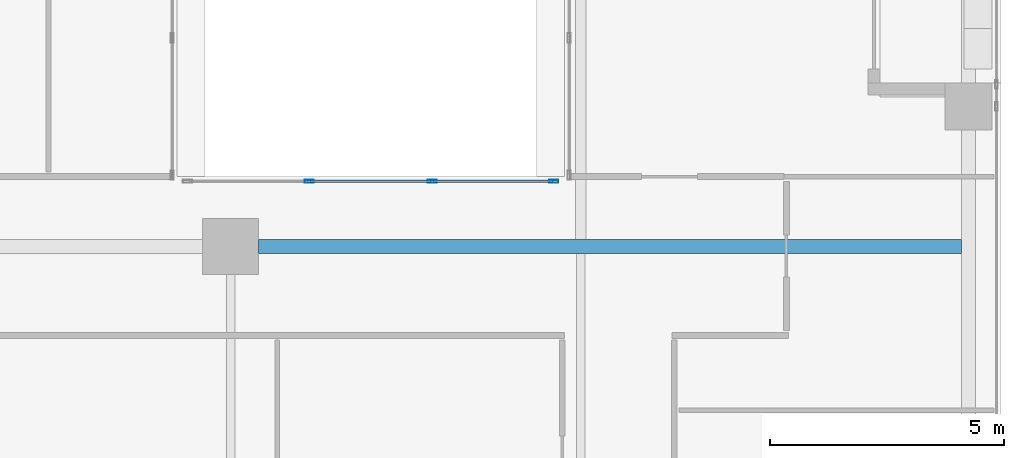
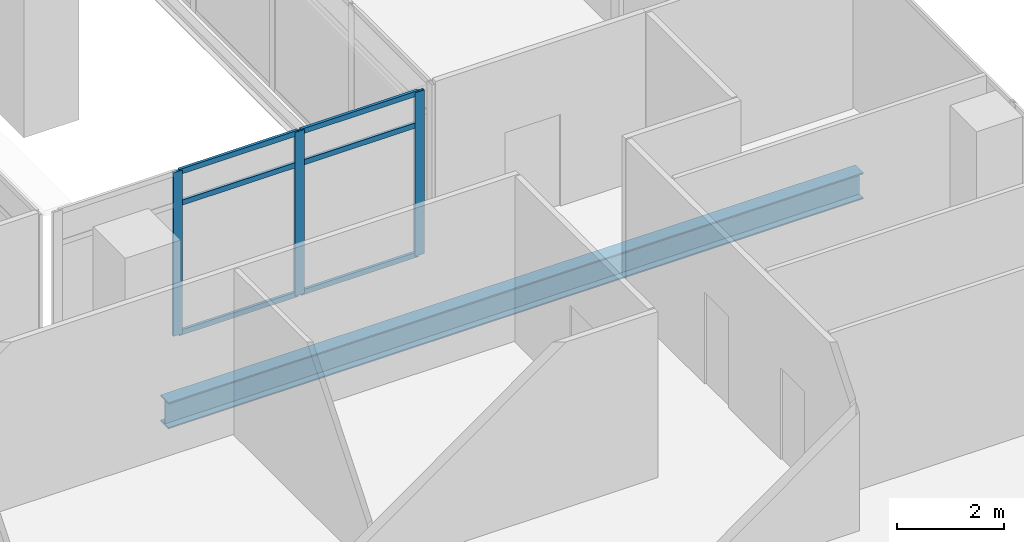
# One storey, part 16 of 40: 9 members, 1 beam, 1 element without a shape of its own.
"""IFC4 building model written with IfcOpenShell, lengths in metres."""

from ifc_helpers import new_model, si_unit, direction, frame, origin, origin_2d, place, context, subcontext, project, spatial, hollow_rectangle, i_section, extrude, source, transform, mapped, material, material_profile, profile_set, type_object, element, aggregate, save


model = new_model("IFC4")

# Units and contexts
model_context = context("Model", 3, precision=1e-05, world=origin(), true_north=direction((0.0, 1.0)))
body_context = subcontext(model_context, "Body", "Model", "MODEL_VIEW")
ifc_project = project(units=[si_unit("LENGTHUNIT", "METRE"), si_unit("AREAUNIT", "SQUARE_METRE"), si_unit("VOLUMEUNIT", "CUBIC_METRE"), si_unit("PLANEANGLEUNIT", "RADIAN"), si_unit("MASSUNIT", "GRAM", prefix="KILO")], contexts=[model_context])

# Site, building, storey
site_placement = place(None, origin())
site = spatial("IfcSite", under=ifc_project, at=site_placement, CompositionType="ELEMENT")
building_placement = place(site_placement, origin())
building = spatial("IfcBuilding", under=site, at=building_placement, Name="Khomas Fold Tower", CompositionType="ELEMENT")
storey_placement = place(building_placement, frame((0.0, 0.0, 180.699951171875)))
storey = spatial("IfcBuildingStorey", under=building, at=storey_placement, Name="L39", CompositionType="ELEMENT", Elevation=180.699951171875)

# Beam
ifc_material_1 = material(Name="Steel S355", Category="steel")
ifc_material_profile_1 = material_profile(ifc_material_1, i_section(OverallWidth=0.300048828125, OverallDepth=0.60009765625, WebThickness=0.015380859375, FlangeThickness=0.030029296875, at=origin_2d()), Name="HE 600 B")
ifc_profile_set_1 = profile_set([ifc_material_profile_1], Name="Steel S355")
beam_type = type_object("IfcBeamType", Name="HE 600 B beam GB5", PredefinedType="BEAM", material=ifc_profile_set_1)
shared_shape_1 = source(origin(), body_context, "Body", "SweptSolid", [
    extrude(i_section(OverallWidth=0.300048828125, OverallDepth=0.60009765625, WebThickness=0.015380859375, FlangeThickness=0.030029296875, at=origin_2d()), origin(), (0.0, 0.0, 1.0), 15.0498046875),
])
beam_placement = place(storey_placement, frame((35.10009765625, 31.5, -0.550048828125), z_axis=(1.0, 0.0, 0.0), x_axis=(0.0, 1.0, 0.0)))
element("IfcBeam", 1, at=beam_placement, inside=storey, type_object=beam_type, Name="GB5", PredefinedType="BEAM", context=body_context, shape_type="MappedRepresentation", body=[
    mapped(shared_shape_1, transform((0.0, 0.0, 0.0))),
])

# Curtain wall, members
ifc_material_2 = material(Name="Aluminium framed double glazing", Category="aluminium")
curtain_wall_type = type_object("IfcCurtainWallType", Name="Notch glazing GN-CW", PredefinedType="NOTDEFINED", material=ifc_material_2)
curtain_wall_placement = place(storey_placement, origin())
curtain_wall = element("IfcCurtainWall", 2, at=curtain_wall_placement, inside=storey, type_object=curtain_wall_type, Name="Notch glazing run", PredefinedType="NOTDEFINED")
ifc_material_3 = material(Name="Aluminium", Category="aluminium")
ifc_material_profile_2 = material_profile(ifc_material_3, hollow_rectangle(XDim=0.06005859375, YDim=0.199951171875, WallThickness=0.00390625, at=origin_2d()), Name="Notch glazing mullion GN-CW-M")
ifc_profile_set_2 = profile_set([ifc_material_profile_2], Name="Aluminium")
member_type_1 = type_object("IfcMemberType", Name="Notch glazing mullion GN-CW-M", PredefinedType="MULLION", material=ifc_profile_set_2)
shared_shape_2 = source(origin(), body_context, "Body", "SweptSolid", [
    extrude(hollow_rectangle(XDim=0.06005859375, YDim=0.199951171875, WallThickness=0.00390625, at=origin_2d()), origin(), (0.0, 0.0, 1.0), 3.75),
])
member_1_placement = place(storey_placement, frame((41.419921875, 32.89990234375, 0.0), z_axis=(0.0, 0.0, 1.0), x_axis=(0.0, -1.0, 0.0)))
member_1 = element("IfcMember", 3, at=member_1_placement, type_object=member_type_1, Name="GN-CW mullion 1", PredefinedType="MULLION", context=body_context, shape_type="MappedRepresentation", body=[
    mapped(shared_shape_2, transform((0.0, 0.0, 0.0))),
])
member_2_placement = place(storey_placement, frame((38.816650390625, 32.89990234375, 0.0), z_axis=(0.0, 0.0, 1.0), x_axis=(0.0, -1.0, 0.0)))
member_2 = element("IfcMember", 4, at=member_2_placement, type_object=member_type_1, Name="GN-CW mullion 2", PredefinedType="MULLION", context=body_context, shape_type="MappedRepresentation", body=[
    mapped(shared_shape_2, transform((0.0, 0.0, 0.0))),
])
member_3_placement = place(storey_placement, frame((36.183349609375, 32.89990234375, 0.0), z_axis=(0.0, 0.0, 1.0), x_axis=(0.0, -1.0, 0.0)))
member_3 = element("IfcMember", 5, at=member_3_placement, type_object=member_type_1, Name="GN-CW mullion 3", PredefinedType="MULLION", context=body_context, shape_type="MappedRepresentation", body=[
    mapped(shared_shape_2, transform((0.0, 0.0, 0.0))),
])
ifc_material_4 = material(Name="Aluminium", Category="aluminium")
ifc_material_profile_3 = material_profile(ifc_material_4, hollow_rectangle(XDim=0.06005859375, YDim=0.1201171875, WallThickness=0.00390625, at=origin_2d()), Name="Notch glazing transom GN-CW-T")
ifc_profile_set_3 = profile_set([ifc_material_profile_3], Name="Aluminium")
member_type_2 = type_object("IfcMemberType", Name="Notch glazing transom GN-CW-T", PredefinedType="USERDEFINED", material=ifc_profile_set_3)
shared_shape_3 = source(origin(), body_context, "Body", "SweptSolid", [
    extrude(hollow_rectangle(XDim=0.06005859375, YDim=0.1201171875, WallThickness=0.00390625, at=origin_2d()), origin(), (0.0, 0.0, 1.0), 2.543212890625),
])
member_4_placement = place(storey_placement, frame((41.389892578125, 32.89990234375, 0.030029296875), z_axis=(-1.0, 0.0, 0.0), x_axis=(0.0, -1.0, 0.0)))
member_4 = element("IfcMember", 6, at=member_4_placement, type_object=member_type_2, Name="GN-CW transom 1.1", ObjectType="TRANSOM", PredefinedType="USERDEFINED", context=body_context, shape_type="MappedRepresentation", body=[
    mapped(shared_shape_3, transform((0.0, 0.0, 0.0))),
])
member_5_placement = place(storey_placement, frame((41.389892578125, 32.89990234375, 3.0), z_axis=(-1.0, 0.0, 0.0), x_axis=(0.0, -1.0, 0.0)))
member_5 = element("IfcMember", 7, at=member_5_placement, type_object=member_type_2, Name="GN-CW transom 1.2", ObjectType="TRANSOM", PredefinedType="USERDEFINED", context=body_context, shape_type="MappedRepresentation", body=[
    mapped(shared_shape_3, transform((0.0, 0.0, 0.0))),
])
member_6_placement = place(storey_placement, frame((41.389892578125, 32.89990234375, 3.719970703125), z_axis=(-1.0, 0.0, 0.0), x_axis=(0.0, -1.0, 0.0)))
member_6 = element("IfcMember", 8, at=member_6_placement, type_object=member_type_2, Name="GN-CW transom 1.3", ObjectType="TRANSOM", PredefinedType="USERDEFINED", context=body_context, shape_type="MappedRepresentation", body=[
    mapped(shared_shape_3, transform((0.0, 0.0, 0.0))),
])
shared_shape_4 = source(origin(), body_context, "Body", "SweptSolid", [
    extrude(hollow_rectangle(XDim=0.06005859375, YDim=0.1201171875, WallThickness=0.00390625, at=origin_2d()), origin(), (0.0, 0.0, 1.0), 2.5732421875),
])
member_7_placement = place(storey_placement, frame((38.78662109375, 32.89990234375, 0.030029296875), z_axis=(-1.0, 0.0, 0.0), x_axis=(0.0, -1.0, 0.0)))
member_7 = element("IfcMember", 9, at=member_7_placement, type_object=member_type_2, Name="GN-CW transom 2.1", ObjectType="TRANSOM", PredefinedType="USERDEFINED", context=body_context, shape_type="MappedRepresentation", body=[
    mapped(shared_shape_4, transform((0.0, 0.0, 0.0))),
])
member_8_placement = place(storey_placement, frame((38.78662109375, 32.89990234375, 3.0), z_axis=(-1.0, 0.0, 0.0), x_axis=(0.0, -1.0, 0.0)))
member_8 = element("IfcMember", 10, at=member_8_placement, type_object=member_type_2, Name="GN-CW transom 2.2", ObjectType="TRANSOM", PredefinedType="USERDEFINED", context=body_context, shape_type="MappedRepresentation", body=[
    mapped(shared_shape_4, transform((0.0, 0.0, 0.0))),
])
member_9_placement = place(storey_placement, frame((38.78662109375, 32.89990234375, 3.719970703125), z_axis=(-1.0, 0.0, 0.0), x_axis=(0.0, -1.0, 0.0)))
member_9 = element("IfcMember", 11, at=member_9_placement, type_object=member_type_2, Name="GN-CW transom 2.3", ObjectType="TRANSOM", PredefinedType="USERDEFINED", context=body_context, shape_type="MappedRepresentation", body=[
    mapped(shared_shape_4, transform((0.0, 0.0, 0.0))),
])
aggregate(curtain_wall, [member_1, member_2, member_3, member_4, member_5, member_6, member_7, member_8, member_9])

save(model, "model.ifc")
